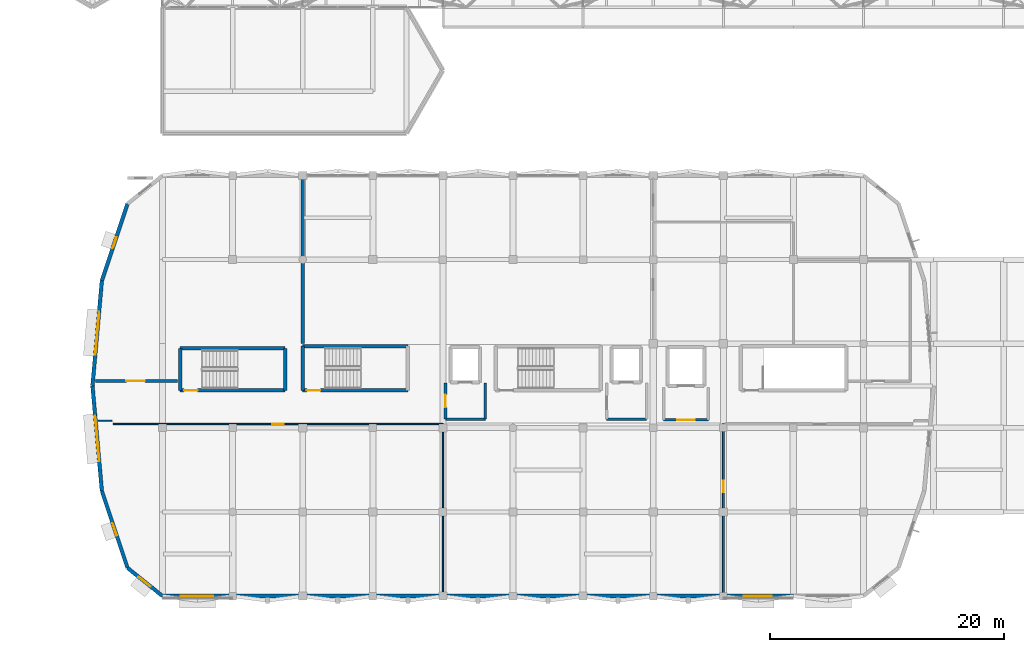
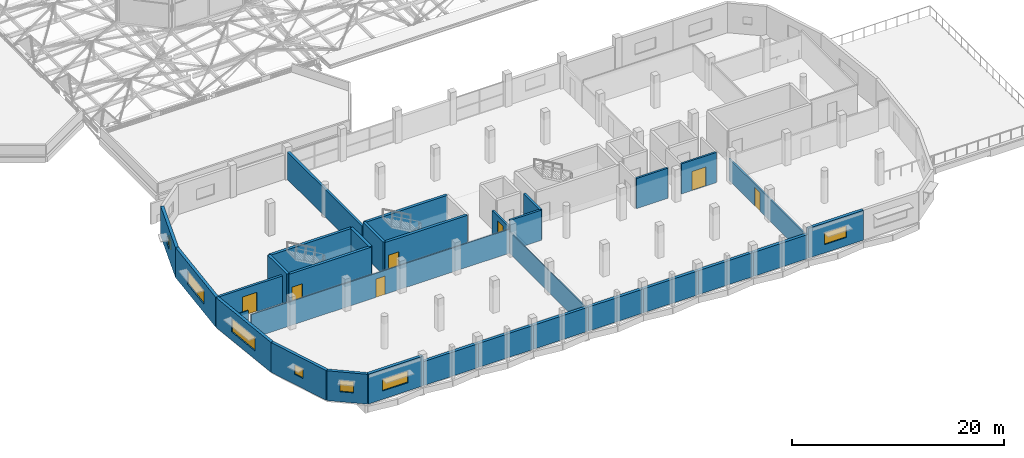
# One storey, part 226 of 239: 32 walls, 7 doors, 7 windows, 14 openings.
"""IFC4 building model written with IfcOpenShell, lengths in metres."""

import ifcopenshell
import ifcopenshell.guid

model = None  # the IFC model being written
_history = None  # IfcOwnerHistory: only IFC2X3 demands one
_inside = {}  # id of a spatial element -> (the spatial element, [elements in it])
_under = {}  # id of a project, library or spatial element -> (it, [spatial elements below it])
_declared = {}  # id of a project -> (the project, [libraries it declares])
_typed = {}  # id of a type object -> (the type object, [elements of that type])
_made_of = {}  # id of a material, layer set ... -> (it, [elements and type objects made of it])


def new_model(schema):
    """Start an empty IFC model of exactly this schema.

    Asked for "IFC4X3", IfcOpenShell would pick the latest addendum, in which some entities
    have other attributes; the version numbers below select the first issue.
    IFC2X3 requires an IfcOwnerHistory on every rooted entity: one is made here for all.
    """
    global model, _history
    if schema == "IFC4X3":
        model = ifcopenshell.file(schema_version=(4, 3, 0, 0))
    else:
        model = ifcopenshell.file(schema=schema)
    _inside.clear()
    _under.clear()
    _declared.clear()
    _typed.clear()
    _made_of.clear()
    _history = None
    if model.schema == "IFC2X3":
        org = make("IfcOrganization", Name="unknown")
        user = make(
            "IfcPersonAndOrganization",
            ThePerson=make("IfcPerson", FamilyName="unknown"),
            TheOrganization=org,
        )
        app = make(
            "IfcApplication",
            ApplicationDeveloper=org,
            Version="unknown",
            ApplicationFullName="unknown",
            ApplicationIdentifier="unknown",
        )
        _history = make(
            "IfcOwnerHistory",
            OwningUser=user,
            OwningApplication=app,
            ChangeAction="ADDED",
            CreationDate=0,
        )
    return model


def make(cls, **values):
    """One entity of the class cls with the attributes given. An attribute that is None is left unset."""
    return model.create_entity(
        cls, **{name: value for name, value in values.items() if value is not None}
    )


def rooted(cls, **values):
    """An entity with a GlobalId (a new one), such as an element, a storey or a relation."""
    return make(cls, GlobalId=ifcopenshell.guid.new(), OwnerHistory=_history, **values)


def si_unit(unit_type, name, prefix=None):
    """IfcSIUnit, for example si_unit("LENGTHUNIT", "METRE", prefix="MILLI")."""
    return make("IfcSIUnit", UnitType=unit_type, Prefix=prefix, Name=name)


def assignment(units):
    """IfcUnitAssignment: the units of a project."""
    return None if units is None else make("IfcUnitAssignment", Units=units)


def point(xyz):
    """IfcCartesianPoint."""
    return None if xyz is None else make("IfcCartesianPoint", Coordinates=xyz)


def direction(xyz):
    """IfcDirection."""
    return None if xyz is None else make("IfcDirection", DirectionRatios=xyz)


def frame(location, z_axis=None, x_axis=None):
    """IfcAxis2Placement3D, a coordinate frame: its origin and axes. An axis left out is left unset."""
    return make(
        "IfcAxis2Placement3D",
        Location=point(location),
        Axis=direction(z_axis),
        RefDirection=direction(x_axis),
    )


def frame_2d(location, x_axis=None):
    """IfcAxis2Placement2D, a coordinate frame in the plane: its origin and x axis."""
    return make(
        "IfcAxis2Placement2D", Location=point(location), RefDirection=direction(x_axis)
    )


def origin():
    """The frame at (0, 0, 0) with its axes left unset."""
    return frame((0.0, 0.0, 0.0))


def place(relative_to, where):
    """IfcLocalPlacement: puts the frame where relative to a parent placement (None: the world)."""
    return make(
        "IfcLocalPlacement", PlacementRelTo=relative_to, RelativePlacement=where
    )


def context(
    kind, dimensions, precision=None, world=None, true_north=None, identifier=None
):
    """IfcGeometricRepresentationContext, for example the 3D "Model" context."""
    return make(
        "IfcGeometricRepresentationContext",
        ContextIdentifier=identifier,
        ContextType=kind,
        CoordinateSpaceDimension=dimensions,
        Precision=precision,
        WorldCoordinateSystem=world,
        TrueNorth=true_north,
    )


def subcontext(parent, identifier, kind, view, scale=None):
    """IfcGeometricRepresentationSubContext, for example "Body" below "Model"."""
    return make(
        "IfcGeometricRepresentationSubContext",
        ContextIdentifier=identifier,
        ContextType=kind,
        ParentContext=parent,
        TargetScale=scale,
        TargetView=view,
    )


def project(units=None, contexts=None):
    """IfcProject with its units and contexts."""
    return rooted(
        "IfcProject",
        Name="project",
        RepresentationContexts=contexts,
        UnitsInContext=assignment(units),
    )


def spatial(cls, under=None, at=None, **own):
    """A site, building, storey or space (cls), placed at a placement, below another one or the project."""
    s = rooted(cls, ObjectPlacement=at, **own)
    if under is not None:
        _under.setdefault(under.id(), (under, []))[1].append(s)
    return s


def profile(cls, at=None, kind="AREA", **sizes):
    """A parametric profile (cls). Its sizes go by their IFC names, for example OverallWidth=200.0."""
    return make(cls, ProfileType=kind, Position=at, **sizes)


def rectangle(**sizes):
    """IfcRectangleProfileDef."""
    return profile("IfcRectangleProfileDef", **sizes)


def extrude(swept, where, along, depth):
    """IfcExtrudedAreaSolid: the profile swept, set in the frame where, extruded along a direction by depth."""
    return make(
        "IfcExtrudedAreaSolid",
        SweptArea=swept,
        Position=where,
        ExtrudedDirection=direction(along),
        Depth=depth,
    )


def shape(context_of_items, identifier, shape_type, items):
    """IfcShapeRepresentation: the items that make up one representation, for example the "Body"."""
    return make(
        "IfcShapeRepresentation",
        ContextOfItems=context_of_items,
        RepresentationIdentifier=identifier,
        RepresentationType=shape_type,
        Items=items,
    )


def material(Name=None, Category=None):
    """IfcMaterial."""
    return make("IfcMaterial", Name=Name, Category=Category)


def layer(
    of_material, thickness, ventilated=None, Name=None, Category=None, Priority=None
):
    """IfcMaterialLayer: one layer of a wall or slab, of a material (None: an air gap)."""
    return make(
        "IfcMaterialLayer",
        Material=of_material,
        LayerThickness=thickness,
        IsVentilated=ventilated,
        Name=Name,
        Category=Category,
        Priority=Priority,
    )


def layer_set(layers, Name=None):
    """IfcMaterialLayerSet."""
    return make("IfcMaterialLayerSet", MaterialLayers=layers, LayerSetName=Name)


def made_of(thing, what):
    """Note that an element or type object is made of a material, layer set ...; save() writes the relation."""
    if what is not None:
        _made_of.setdefault(what.id(), (what, []))[1].append(thing)
    return thing


def type_object(cls, material=None, **own):
    """A type object (cls), such as IfcWallType, which elements share."""
    return made_of(rooted(cls, **own), material)


def element(
    cls,
    number,
    at=None,
    inside=None,
    cuts=None,
    type_object=None,
    material=None,
    context=None,
    identifier="Body",
    shape_type=None,
    held_by="IfcProductDefinitionShape",
    body=None,
    shapes=None,
    **own,
):
    """One element of the class cls, such as IfcWall. Its Tag is "e" and its number.

    at: its placement. inside: the storey or other place that contains it. cuts: it is an
    opening in that element (IfcRelVoidsElement). A single representation is given by context,
    identifier, shape_type and body (its items); several are given by shapes. held_by: the class
    of the entity that holds the representations. save() writes the other relations.
    """
    e = rooted(cls, Tag="e%d" % number, ObjectPlacement=at, **own)
    if body is not None:
        shapes = [shape(context, identifier, shape_type, body)]
    if shapes is not None:
        e.Representation = make(held_by, Representations=shapes)
    if inside is not None:
        _inside.setdefault(inside.id(), (inside, []))[1].append(e)
    if cuts is not None:
        rooted(
            "IfcRelVoidsElement", RelatingBuildingElement=cuts, RelatedOpeningElement=e
        )
    if type_object is not None:
        _typed.setdefault(type_object.id(), (type_object, []))[1].append(e)
    return made_of(e, material)


def fill(opening, filler):
    """IfcRelFillsElement: the door or window that sits in an opening."""
    return rooted(
        "IfcRelFillsElement",
        RelatingOpeningElement=opening,
        RelatedBuildingElement=filler,
    )


def aggregate(whole, parts):
    """IfcRelAggregates: a whole, such as a stair, and the parts it consists of."""
    return rooted("IfcRelAggregates", RelatingObject=whole, RelatedObjects=parts)


def save(model, path):
    """Write the relations noted so far, then the file.

    IfcRelAggregates (storeys below a building ...), IfcRelContainedInSpatialStructure (elements
    in a storey), IfcRelDefinesByType, IfcRelAssociatesMaterial and IfcRelDeclares: one each for
    every whole, place, type object, material and project.
    """
    for whole, parts in _under.values():
        aggregate(whole, parts)
    for where, things in _inside.values():
        rooted(
            "IfcRelContainedInSpatialStructure",
            RelatedElements=things,
            RelatingStructure=where,
        )
    for kind, things in _typed.values():
        rooted("IfcRelDefinesByType", RelatedObjects=things, RelatingType=kind)
    for what, things in _made_of.values():
        rooted("IfcRelAssociatesMaterial", RelatedObjects=things, RelatingMaterial=what)
    for by, libraries in _declared.values():
        rooted("IfcRelDeclares", RelatingContext=by, RelatedDefinitions=libraries)
    model.write(path)


model = new_model("IFC4")

# Units and contexts
model_context = context("Model", 3, precision=1e-05, world=origin(), true_north=direction((0.0, 1.0)))
body_context = subcontext(model_context, "Body", "Model", "MODEL_VIEW")
ifc_project = project(units=[si_unit("LENGTHUNIT", "METRE"), si_unit("AREAUNIT", "SQUARE_METRE"), si_unit("VOLUMEUNIT", "CUBIC_METRE"), si_unit("PLANEANGLEUNIT", "RADIAN"), si_unit("MASSUNIT", "GRAM", prefix="KILO")], contexts=[model_context])

# Site, building, storey
site_placement = place(None, origin())
site = spatial("IfcSite", under=ifc_project, at=site_placement, CompositionType="ELEMENT")
building_placement = place(site_placement, origin())
building = spatial("IfcBuilding", under=site, at=building_placement, Name="Dunvalen Ferry Terminal", CompositionType="ELEMENT")
storey_placement = place(building_placement, frame((0.0, 0.0, 9.840087890625)))
storey = spatial("IfcBuildingStorey", under=building, at=storey_placement, Name="L02", CompositionType="ELEMENT", Elevation=9.840087890625)

# Wall, opening, window
ifc_material_1 = material(Name="Precast concrete C40/50", Category="concrete")
ifc_layer_1 = layer(ifc_material_1, 0.320068359375, Name="Precast concrete C40/50")
ifc_layer_set_1 = layer_set([ifc_layer_1], Name="Precast concrete C40/50")
wall_type_1 = type_object("IfcWallType", Name="ENV-WL-SPN320", PredefinedType="SOLIDWALL", material=ifc_layer_set_1)
wall_1_placement = place(storey_placement, frame((12.0, 0.0, 0.0), z_axis=(0.0, 0.0, 1.0), x_axis=(1.0, 0.0, 0.0)))
wall_1 = element("IfcWall", 1, at=wall_1_placement, inside=storey, type_object=wall_type_1, Name="L02 Streamline Moderne Facade Wall 01.01", PredefinedType="SOLIDWALL", context=body_context, shape_type="SweptSolid", body=[
    extrude(rectangle(XDim=6.0, YDim=0.320068359375, at=frame_2d((3.0, 0.0))), origin(), (0.0, 0.0, 1.0), 3.43994140625),
])
opening_1_placement = place(wall_1_placement, frame((1.548828125, 0.0, 0.949951171875)))
opening_1 = element("IfcOpeningElement", 2, at=opening_1_placement, cuts=wall_1, Name="Opening W-09", PredefinedType="OPENING", context=body_context, shape_type="SweptSolid", body=[
    extrude(rectangle(XDim=2.800048828125, YDim=1.35009765625, at=frame_2d((1.39990234375, 0.675048828125))), frame((0.0, 0.169921875, 0.0), z_axis=(0.0, -1.0, 0.0), x_axis=(1.0, 0.0, 0.0)), (0.0, 0.0, 1.0), 0.340087890625),
])
ifc_material_2 = material(Name="Thermally broken aluminium and double glazing", Category="aluminium")
window_type_1 = type_object("IfcWindowType", Name="ENV-WIN-RIB-09", PartitioningType="SINGLE_PANEL", PredefinedType="WINDOW", material=ifc_material_2)
window_1_placement = place(opening_1_placement, origin())
window_1 = element("IfcWindow", 3, at=window_1_placement, inside=storey, type_object=window_type_1, Name="L02 Streamline Ribbon Window 01.01", OverallHeight=1.35009765625, OverallWidth=2.800048828125, PartitioningType="SINGLE_PANEL", PredefinedType="WINDOW", context=body_context, shape_type="SweptSolid", body=[
    extrude(rectangle(XDim=2.800048828125, YDim=1.35009765625, at=frame_2d((1.39990234375, 0.675048828125))), frame((0.0, 0.030029296875, 0.0), z_axis=(0.0, -1.0, 0.0), x_axis=(1.0, 0.0, 0.0)), (0.0, 0.0, 1.0), 0.06005859375),
])
fill(opening_1, window_1)

# Walls
for number, where, z_axis, x_axis, name in (
    (4, (18.0, 0.0, 0.0), (0.0, 0.0, 1.0), (1.0, 0.0, 0.0), "L02 Streamline Moderne Facade Wall 01.02"),
    (5, (24.0, 0.0, 0.0), (0.0, 0.0, 1.0), (1.0, 0.0, 0.0), "L02 Streamline Moderne Facade Wall 01.03"),
    (6, (30.0, 0.0, 0.0), (0.0, 0.0, 1.0), (1.0, 0.0, 0.0), "L02 Streamline Moderne Facade Wall 01.04"),
    (7, (36.0, 0.0, 0.0), (0.0, 0.0, 1.0), (1.0, 0.0, 0.0), "L02 Streamline Moderne Facade Wall 01.05"),
    (8, (42.0, 0.0, 0.0), (0.0, 0.0, 1.0), (1.0, 0.0, 0.0), "L02 Streamline Moderne Facade Wall 01.06"),
    (9, (48.0, 0.0, 0.0), (0.0, 0.0, 1.0), (1.0, 0.0, 0.0), "L02 Streamline Moderne Facade Wall 01.07"),
    (10, (54.0, 0.0, 0.0), (0.0, 0.0, 1.0), (1.0, 0.0, 0.0), "L02 Streamline Moderne Facade Wall 01.08"),
):
    element("IfcWall", number, at=place(storey_placement, frame(where, z_axis=z_axis, x_axis=x_axis)), inside=storey, type_object=wall_type_1, Name=name, PredefinedType="SOLIDWALL", context=body_context, shape_type="SweptSolid", body=[
        extrude(rectangle(XDim=6.0, YDim=0.320068359375, at=frame_2d((3.0, 0.0))), origin(), (0.0, 0.0, 1.0), 2.77001953125),
    ])

# Wall, opening, window
wall_2_placement = place(storey_placement, frame((60.0, 0.0, 0.0), z_axis=(0.0, 0.0, 1.0), x_axis=(1.0, 0.0, 0.0)))
wall_2 = element("IfcWall", 11, at=wall_2_placement, inside=storey, type_object=wall_type_1, Name="L02 Streamline Moderne Facade Wall 01.09", PredefinedType="SOLIDWALL", context=body_context, shape_type="SweptSolid", body=[
    extrude(rectangle(XDim=6.0, YDim=0.320068359375, at=frame_2d((3.0, 0.0))), origin(), (0.0, 0.0, 1.0), 3.43994140625),
])
opening_2_placement = place(wall_2_placement, frame((1.7490234375, 0.0, 0.949951171875)))
opening_2 = element("IfcOpeningElement", 12, at=opening_2_placement, cuts=wall_2, Name="Opening W-10", PredefinedType="OPENING", context=body_context, shape_type="SweptSolid", body=[
    extrude(rectangle(XDim=2.39990234375, YDim=1.35009765625, at=frame_2d((1.199951171875, 0.675048828125))), frame((0.0, 0.169921875, 0.0), z_axis=(0.0, -1.0, 0.0), x_axis=(1.0, 0.0, 0.0)), (0.0, 0.0, 1.0), 0.340087890625),
])
window_type_2 = type_object("IfcWindowType", Name="ENV-WIN-RIB-10", PartitioningType="SINGLE_PANEL", PredefinedType="WINDOW", material=ifc_material_2)
window_2_placement = place(opening_2_placement, origin())
window_2 = element("IfcWindow", 13, at=window_2_placement, inside=storey, type_object=window_type_2, Name="L02 Streamline Ribbon Window 01.09", OverallHeight=1.35009765625, OverallWidth=2.39990234375, PartitioningType="SINGLE_PANEL", PredefinedType="WINDOW", context=body_context, shape_type="SweptSolid", body=[
    extrude(rectangle(XDim=2.39990234375, YDim=1.35009765625, at=frame_2d((1.199951171875, 0.675048828125))), frame((0.0, 0.030029296875, 0.0), z_axis=(0.0, -1.0, 0.0), x_axis=(1.0, 0.0, 0.0)), (0.0, 0.0, 1.0), 0.06005859375),
])
fill(opening_2, window_2)

wall_3_placement = place(storey_placement, frame((9.0, 33.58837890625, 0.0), z_axis=(0.0, 0.0, 1.0), x_axis=(-0.31624885857, -0.948676266939, 0.0)))
wall_3 = element("IfcWall", 14, at=wall_3_placement, inside=storey, type_object=wall_type_1, Name="L02 Streamline Moderne Facade Wall 10.01", PredefinedType="SOLIDWALL", context=body_context, shape_type="SweptSolid", body=[
    extrude(rectangle(XDim=6.94482421875, YDim=0.320068359375, at=frame_2d((3.472412109375, 0.0))), origin(), (0.0, 0.0, 1.0), 3.43994140625),
])
opening_3_placement = place(wall_3_placement, frame((3.0224609375, 0.0, 1.14990234375)))
opening_3 = element("IfcOpeningElement", 15, at=opening_3_placement, cuts=wall_3, Name="Opening W-18", PredefinedType="OPENING", context=body_context, shape_type="SweptSolid", body=[
    extrude(rectangle(XDim=1.0, YDim=1.0, at=frame_2d((0.5, 0.5))), frame((0.0, 0.169921875, 0.0), z_axis=(0.0, -1.0, 0.0), x_axis=(1.0, 0.0, 0.0)), (0.0, 0.0, 1.0), 0.340087890625),
])
window_type_3 = type_object("IfcWindowType", Name="ENV-WIN-PRT-18", PartitioningType="SINGLE_PANEL", PredefinedType="WINDOW", material=ifc_material_2)
window_3_placement = place(opening_3_placement, origin())
window_3 = element("IfcWindow", 16, at=window_3_placement, inside=storey, type_object=window_type_3, Name="L02 Streamline Ribbon Window 10.01", OverallHeight=1.0, OverallWidth=1.0, PartitioningType="SINGLE_PANEL", PredefinedType="WINDOW", context=body_context, shape_type="SweptSolid", body=[
    extrude(rectangle(XDim=1.0, YDim=1.0, at=frame_2d((0.5, 0.5))), frame((0.0, 0.030029296875, 0.0), z_axis=(0.0, -1.0, 0.0), x_axis=(1.0, 0.0, 0.0)), (0.0, 0.0, 1.0), 0.06005859375),
])
fill(opening_3, window_3)

wall_4_placement = place(storey_placement, frame((6.8037109375, 27.0, 0.0), z_axis=(0.0, 0.0, 1.0), x_axis=(-0.088947255406, -0.996036337568, 0.0)))
wall_4 = element("IfcWall", 17, at=wall_4_placement, inside=storey, type_object=wall_type_1, Name="L02 Streamline Moderne Facade Wall 11.01", PredefinedType="SOLIDWALL", context=body_context, shape_type="SweptSolid", body=[
    extrude(rectangle(XDim=9.035888671875, YDim=0.320068359375, at=frame_2d((4.51806640625, 0.0))), origin(), (0.0, 0.0, 1.0), 3.43994140625),
])
opening_4_placement = place(wall_4_placement, frame((2.66796875, 0.0, 0.949951171875)))
opening_4 = element("IfcOpeningElement", 18, at=opening_4_placement, cuts=wall_4, Name="Opening W-35", PredefinedType="OPENING", context=body_context, shape_type="SweptSolid", body=[
    extrude(rectangle(XDim=3.699951171875, YDim=1.550048828125, at=frame_2d((1.85009765625, 0.77490234375))), frame((0.0, 0.169921875, 0.0), z_axis=(0.0, -1.0, 0.0), x_axis=(1.0, 0.0, 0.0)), (0.0, 0.0, 1.0), 0.340087890625),
])
window_type_4 = type_object("IfcWindowType", Name="ENV-WIN-RIB-35", PartitioningType="SINGLE_PANEL", PredefinedType="WINDOW", material=ifc_material_2)
window_4_placement = place(opening_4_placement, origin())
window_4 = element("IfcWindow", 19, at=window_4_placement, inside=storey, type_object=window_type_4, Name="L02 Streamline Ribbon Window 11.01", OverallHeight=1.550048828125, OverallWidth=3.699951171875, PartitioningType="SINGLE_PANEL", PredefinedType="WINDOW", context=body_context, shape_type="SweptSolid", body=[
    extrude(rectangle(XDim=3.699951171875, YDim=1.550048828125, at=frame_2d((1.85009765625, 0.77490234375))), frame((0.0, 0.030029296875, 0.0), z_axis=(0.0, -1.0, 0.0), x_axis=(1.0, 0.0, 0.0)), (0.0, 0.0, 1.0), 0.06005859375),
])
fill(opening_4, window_4)

wall_5_placement = place(storey_placement, frame((6.0, 18.0, 0.0), z_axis=(0.0, 0.0, 1.0), x_axis=(0.088947255406, -0.996036337568, 0.0)))
wall_5 = element("IfcWall", 20, at=wall_5_placement, inside=storey, type_object=wall_type_1, Name="L02 Streamline Moderne Facade Wall 12.01", PredefinedType="SOLIDWALL", context=body_context, shape_type="SweptSolid", body=[
    extrude(rectangle(XDim=9.035888671875, YDim=0.320068359375, at=frame_2d((4.51806640625, 0.0))), origin(), (0.0, 0.0, 1.0), 3.43994140625),
])
opening_5_placement = place(wall_5_placement, frame((2.56787109375, 0.0, 0.949951171875)))
opening_5 = element("IfcOpeningElement", 21, at=opening_5_placement, cuts=wall_5, Name="Opening W-36", PredefinedType="OPENING", context=body_context, shape_type="SweptSolid", body=[
    extrude(rectangle(XDim=3.89990234375, YDim=1.550048828125, at=frame_2d((1.949951171875, 0.77490234375))), frame((0.0, 0.169921875, 0.0), z_axis=(0.0, -1.0, 0.0), x_axis=(1.0, 0.0, 0.0)), (0.0, 0.0, 1.0), 0.340087890625),
])
window_type_5 = type_object("IfcWindowType", Name="ENV-WIN-RIB-36", PartitioningType="SINGLE_PANEL", PredefinedType="WINDOW", material=ifc_material_2)
window_5_placement = place(opening_5_placement, origin())
window_5 = element("IfcWindow", 22, at=window_5_placement, inside=storey, type_object=window_type_5, Name="L02 Streamline Ribbon Window 12.01", OverallHeight=1.550048828125, OverallWidth=3.89990234375, PartitioningType="SINGLE_PANEL", PredefinedType="WINDOW", context=body_context, shape_type="SweptSolid", body=[
    extrude(rectangle(XDim=3.89990234375, YDim=1.550048828125, at=frame_2d((1.949951171875, 0.77490234375))), frame((0.0, 0.030029296875, 0.0), z_axis=(0.0, -1.0, 0.0), x_axis=(1.0, 0.0, 0.0)), (0.0, 0.0, 1.0), 0.06005859375),
])
fill(opening_5, window_5)

wall_6_placement = place(storey_placement, frame((6.8037109375, 9.0, 0.0), z_axis=(0.0, 0.0, 1.0), x_axis=(0.31624885857, -0.948676266939, 0.0)))
wall_6 = element("IfcWall", 23, at=wall_6_placement, inside=storey, type_object=wall_type_1, Name="L02 Streamline Moderne Facade Wall 13.01", PredefinedType="SOLIDWALL", context=body_context, shape_type="SweptSolid", body=[
    extrude(rectangle(XDim=6.94482421875, YDim=0.320068359375, at=frame_2d((3.472412109375, 0.0))), origin(), (0.0, 0.0, 1.0), 3.43994140625),
])
opening_6_placement = place(wall_6_placement, frame((2.92236328125, 0.0, 1.14990234375)))
opening_6 = element("IfcOpeningElement", 24, at=opening_6_placement, cuts=wall_6, Name="Opening W-41", PredefinedType="OPENING", context=body_context, shape_type="SweptSolid", body=[
    extrude(rectangle(XDim=1.10009765625, YDim=1.10009765625, at=frame_2d((0.550048828125, 0.550048828125))), frame((0.0, 0.169921875, 0.0), z_axis=(0.0, -1.0, 0.0), x_axis=(1.0, 0.0, 0.0)), (0.0, 0.0, 1.0), 0.340087890625),
])
window_type_6 = type_object("IfcWindowType", Name="ENV-WIN-PRT-41", PartitioningType="SINGLE_PANEL", PredefinedType="WINDOW", material=ifc_material_2)
window_6_placement = place(opening_6_placement, origin())
window_6 = element("IfcWindow", 25, at=window_6_placement, inside=storey, type_object=window_type_6, Name="L02 Streamline Ribbon Window 13.01", OverallHeight=1.10009765625, OverallWidth=1.10009765625, PartitioningType="SINGLE_PANEL", PredefinedType="WINDOW", context=body_context, shape_type="SweptSolid", body=[
    extrude(rectangle(XDim=1.10009765625, YDim=1.10009765625, at=frame_2d((0.550048828125, 0.550048828125))), frame((0.0, 0.030029296875, 0.0), z_axis=(0.0, -1.0, 0.0), x_axis=(1.0, 0.0, 0.0)), (0.0, 0.0, 1.0), 0.06005859375),
])
fill(opening_6, window_6)

wall_7_placement = place(storey_placement, frame((9.0, 2.41162109375, 0.0), z_axis=(0.0, 0.0, 1.0), x_axis=(0.779393889884, -0.626534248395, 0.0)))
wall_7 = element("IfcWall", 26, at=wall_7_placement, inside=storey, type_object=wall_type_1, Name="L02 Streamline Moderne Facade Wall 14.01", PredefinedType="SOLIDWALL", context=body_context, shape_type="SweptSolid", body=[
    extrude(rectangle(XDim=3.84912109375, YDim=0.320068359375, at=frame_2d((1.924560546875, 0.0))), origin(), (0.0, 0.0, 1.0), 3.43994140625),
])
opening_7_placement = place(wall_7_placement, frame((1.224365234375, 0.0, 1.14990234375)))
opening_7 = element("IfcOpeningElement", 27, at=opening_7_placement, cuts=wall_7, Name="Opening W-42", PredefinedType="OPENING", context=body_context, shape_type="SweptSolid", body=[
    extrude(rectangle(XDim=1.300048828125, YDim=1.300048828125, at=frame_2d((0.64990234375, 0.64990234375))), frame((0.0, 0.169921875, 0.0), z_axis=(0.0, -1.0, 0.0), x_axis=(1.0, 0.0, 0.0)), (0.0, 0.0, 1.0), 0.340087890625),
])
window_type_7 = type_object("IfcWindowType", Name="ENV-WIN-PRT-42", PartitioningType="SINGLE_PANEL", PredefinedType="WINDOW", material=ifc_material_2)
window_7_placement = place(opening_7_placement, origin())
window_7 = element("IfcWindow", 28, at=window_7_placement, inside=storey, type_object=window_type_7, Name="L02 Streamline Ribbon Window 14.01", OverallHeight=1.300048828125, OverallWidth=1.300048828125, PartitioningType="SINGLE_PANEL", PredefinedType="WINDOW", context=body_context, shape_type="SweptSolid", body=[
    extrude(rectangle(XDim=1.300048828125, YDim=1.300048828125, at=frame_2d((0.64990234375, 0.64990234375))), frame((0.0, 0.030029296875, 0.0), z_axis=(0.0, -1.0, 0.0), x_axis=(1.0, 0.0, 0.0)), (0.0, 0.0, 1.0), 0.06005859375),
])
fill(opening_7, window_7)

# Wall, opening, door
ifc_material_3 = material(Name="Autoclaved aerated concrete blockwork", Category="masonry")
ifc_layer_2 = layer(ifc_material_3, 0.199951171875, Name="Autoclaved aerated concrete blockwork")
ifc_layer_set_2 = layer_set([ifc_layer_2], Name="Autoclaved aerated concrete blockwork")
wall_type_2 = type_object("IfcWallType", Name="INT-WL-CMP200", PredefinedType="PARTITIONING", material=ifc_layer_set_2)
wall_8_placement = place(storey_placement, frame((54.889892578125, 15.090087890625, 0.0), z_axis=(0.0, 0.0, 1.0), x_axis=(1.0, 0.0, 0.0)))
wall_8 = element("IfcWall", 29, at=wall_8_placement, inside=storey, type_object=wall_type_2, Name="L02 L02 Lift Lobby LG-01 Partition 2", PredefinedType="PARTITIONING", context=body_context, shape_type="SweptSolid", body=[
    extrude(rectangle(XDim=3.820068359375, YDim=0.199951171875, at=frame_2d((1.91015625, 0.0))), origin(), (0.0, 0.0, 1.0), 3.47998046875),
])
opening_8_placement = place(wall_8_placement, frame((1.159912109375, 0.0, 0.0)))
opening_8 = element("IfcOpeningElement", 30, at=opening_8_placement, cuts=wall_8, Name="Opening ID-04", PredefinedType="OPENING", context=body_context, shape_type="SweptSolid", body=[
    extrude(rectangle(XDim=1.5, YDim=2.199951171875, at=frame_2d((0.75, 1.10009765625))), frame((0.0, 0.10986328125, 0.0), z_axis=(0.0, -1.0, 0.0), x_axis=(1.0, 0.0, 0.0)), (0.0, 0.0, 1.0), 0.219970703125),
])
ifc_material_4 = material(Name="Anodised aluminium glazed fire door", Category="aluminium")
door_type_1 = type_object("IfcDoorType", Name="INT-DR-LOB-1500", OperationType="DOUBLE_SWING_LEFT", PredefinedType="DOOR", material=ifc_material_4)
door_1_placement = place(opening_8_placement, origin())
door_1 = element("IfcDoor", 31, at=door_1_placement, inside=storey, type_object=door_type_1, Name="L02 Lift Lobby LG-01 Door", OperationType="DOUBLE_SWING_LEFT", OverallHeight=2.199951171875, OverallWidth=1.5, PredefinedType="DOOR", context=body_context, shape_type="SweptSolid", body=[
    extrude(rectangle(XDim=1.5, YDim=2.199951171875, at=frame_2d((0.75, 1.10009765625))), frame((0.0, 0.02490234375, 0.0), z_axis=(0.0, -1.0, 0.0), x_axis=(1.0, 0.0, 0.0)), (0.0, 0.0, 1.0), 0.050048828125),
])
fill(opening_8, door_1)

ifc_material_5 = material(Name="Concrete C35/45", Category="concrete")
ifc_layer_3 = layer(ifc_material_5, 0.219970703125, Name="Concrete C35/45")
ifc_layer_set_3 = layer_set([ifc_layer_3], Name="Concrete C35/45")
wall_type_3 = type_object("IfcWallType", Name="INT-WL-CMP220", PredefinedType="SOLIDWALL", material=ifc_layer_set_3)
wall_9_placement = place(storey_placement, frame((36.219970703125, 18.25, 0.0), z_axis=(0.0, 0.0, 1.0), x_axis=(0.0, -1.0, 0.0)))
wall_9 = element("IfcWall", 32, at=wall_9_placement, inside=storey, type_object=wall_type_3, Name="L02 L02 Firefighting Lift Lobby LF-01 Partition 1", PredefinedType="SOLIDWALL", context=body_context, shape_type="SweptSolid", body=[
    extrude(rectangle(XDim=3.110107421875, YDim=0.219970703125, at=frame_2d((1.55517578125, 0.0))), origin(), (0.0, 0.0, 1.0), 2.719970703125),
])
opening_9_placement = place(wall_9_placement, frame((1.0048828125, 0.0, 0.0)))
opening_9 = element("IfcOpeningElement", 33, at=opening_9_placement, cuts=wall_9, Name="Opening ID-03", PredefinedType="OPENING", context=body_context, shape_type="SweptSolid", body=[
    extrude(rectangle(XDim=1.10009765625, YDim=2.14990234375, at=frame_2d((0.550048828125, 1.074951171875))), frame((0.0, 0.1201171875, 0.0), z_axis=(0.0, -1.0, 0.0), x_axis=(1.0, 0.0, 0.0)), (0.0, 0.0, 1.0), 0.239990234375),
])
ifc_material_6 = material(Name="Powder-coated steel fire door", Category="steel")
door_type_2 = type_object("IfcDoorType", Name="INT-DR-FFL-1100", OperationType="NOTDEFINED", PredefinedType="DOOR", material=ifc_material_6)
door_2_placement = place(opening_9_placement, origin())
door_2 = element("IfcDoor", 34, at=door_2_placement, inside=storey, type_object=door_type_2, Name="L02 Firefighting Lift Lobby LF-01 Door", OperationType="SINGLE_SWING_LEFT", OverallHeight=2.14990234375, OverallWidth=1.10009765625, PredefinedType="DOOR", context=body_context, shape_type="SweptSolid", body=[
    extrude(rectangle(XDim=1.10009765625, YDim=2.14990234375, at=frame_2d((0.550048828125, 1.074951171875))), frame((0.0, 0.02490234375, 0.0), z_axis=(0.0, -1.0, 0.0), x_axis=(1.0, 0.0, 0.0)), (0.0, 0.0, 1.0), 0.050048828125),
])
fill(opening_9, door_2)

# Walls
wall_10_placement = place(storey_placement, frame((36.219970703125, 15.139892578125, 0.0), z_axis=(0.0, 0.0, 1.0), x_axis=(1.0, 0.0, 0.0)))
element("IfcWall", 35, at=wall_10_placement, inside=storey, type_object=wall_type_3, Name="L02 L02 Firefighting Lift Lobby LF-01 Partition 2", PredefinedType="SOLIDWALL", context=body_context, shape_type="SweptSolid", body=[
    extrude(rectangle(XDim=3.419921875, YDim=0.219970703125, at=frame_2d((1.7099609375, 0.0))), origin(), (0.0, 0.0, 1.0), 3.47998046875),
])
wall_11_placement = place(storey_placement, frame((39.639892578125, 15.139892578125, 0.0), z_axis=(0.0, 0.0, 1.0), x_axis=(0.0, 1.0, 0.0)))
element("IfcWall", 36, at=wall_11_placement, inside=storey, type_object=wall_type_3, Name="L02 L02 Firefighting Lift Lobby LF-01 Partition 3", PredefinedType="SOLIDWALL", context=body_context, shape_type="SweptSolid", body=[
    extrude(rectangle(XDim=3.110107421875, YDim=0.219970703125, at=frame_2d((1.55517578125, 0.0))), origin(), (0.0, 0.0, 1.0), 3.47998046875),
])
wall_12_placement = place(storey_placement, frame((50.02001953125, 15.139892578125, 0.0), z_axis=(0.0, 0.0, 1.0), x_axis=(1.0, 0.0, 0.0)))
element("IfcWall", 37, at=wall_12_placement, inside=storey, type_object=wall_type_3, Name="L02 L02 Firefighting Lift Lobby LF-02 Partition 3", PredefinedType="SOLIDWALL", context=body_context, shape_type="SweptSolid", body=[
    extrude(rectangle(XDim=3.419921875, YDim=0.219970703125, at=frame_2d((1.7099609375, 0.0))), origin(), (0.0, 0.0, 1.0), 3.47998046875),
])
ifc_layer_4 = layer(ifc_material_5, 0.260009765625, Name="Concrete C35/45")
ifc_layer_set_4 = layer_set([ifc_layer_4], Name="Concrete C35/45")
wall_type_4 = type_object("IfcWallType", Name="INT-WL-CMP260", PredefinedType="SOLIDWALL", material=ifc_layer_set_4)
wall_13_placement = place(storey_placement, frame((24.0, 21.610107421875, 0.0), z_axis=(0.0, 0.0, 1.0), x_axis=(0.0, 1.0, 0.0)))
element("IfcWall", 38, at=wall_13_placement, inside=storey, type_object=wall_type_4, Name="L02 L02 Mid-Level Ventilation AHU Plant Room Partition 2", PredefinedType="SOLIDWALL", context=body_context, shape_type="SweptSolid", body=[
    extrude(rectangle(XDim=14.169921875, YDim=0.260009765625, at=frame_2d((7.0849609375, 0.0))), origin(), (0.0, 0.0, 1.0), 3.159912109375),
])

# Wall, opening, door
wall_14_placement = place(storey_placement, frame((6.256591796875, 18.39990234375, 0.0), z_axis=(0.0, 0.0, 1.0), x_axis=(1.0, 0.0, 0.0)))
wall_14 = element("IfcWall", 39, at=wall_14_placement, inside=storey, type_object=wall_type_4, Name="L02 L02 Mid-Level Ventilation AHU Plant Room Partition 7", PredefinedType="SOLIDWALL", context=body_context, shape_type="SweptSolid", body=[
    extrude(rectangle(XDim=7.033447265625, YDim=0.260009765625, at=frame_2d((3.5166015625, 0.0))), origin(), (0.0, 0.0, 1.0), 3.159912109375),
])
opening_10_placement = place(wall_14_placement, frame((2.639892578125, 0.0, 0.0)))
opening_10 = element("IfcOpeningElement", 40, at=opening_10_placement, cuts=wall_14, Name="Opening ID-05", PredefinedType="OPENING", context=body_context, shape_type="SweptSolid", body=[
    extrude(rectangle(XDim=1.60009765625, YDim=2.25, at=frame_2d((0.800048828125, 1.125))), frame((0.0, 0.14013671875, 0.0), z_axis=(0.0, -1.0, 0.0), x_axis=(1.0, 0.0, 0.0)), (0.0, 0.0, 1.0), 0.280029296875),
])
ifc_material_7 = material(Name="Galvanised acoustic steel fire door", Category="steel")
door_type_3 = type_object("IfcDoorType", Name="INT-DR-PLT-1600", OperationType="DOUBLE_SWING_LEFT", PredefinedType="DOOR", material=ifc_material_7)
door_3_placement = place(opening_10_placement, origin())
door_3 = element("IfcDoor", 41, at=door_3_placement, inside=storey, type_object=door_type_3, Name="L02 Mid-Level Ventilation AHU Plant Room Door", OperationType="DOUBLE_SWING_LEFT", OverallHeight=2.25, OverallWidth=1.60009765625, PredefinedType="DOOR", context=body_context, shape_type="SweptSolid", body=[
    extrude(rectangle(XDim=1.60009765625, YDim=2.25, at=frame_2d((0.800048828125, 1.125))), frame((0.0, 0.02490234375, 0.0), z_axis=(0.0, -1.0, 0.0), x_axis=(1.0, 0.0, 0.0)), (0.0, 0.0, 1.0), 0.050048828125),
])
fill(opening_10, door_3)

ifc_material_8 = material(Name="Framed acoustic glass partition", Category="glass")
ifc_layer_5 = layer(ifc_material_8, 0.10498046875, Name="Framed acoustic glass partition")
ifc_layer_set_5 = layer_set([ifc_layer_5], Name="Framed acoustic glass partition")
wall_type_5 = type_object("IfcWallType", Name="INT-WL-GLZ105", PredefinedType="PARTITIONING", material=ifc_layer_set_5)
wall_15_placement = place(storey_placement, frame((36.0, 14.739990234375, 0.0), z_axis=(0.0, 0.0, 1.0), x_axis=(-1.0, 0.0, 0.0)))
wall_15 = element("IfcWall", 42, at=wall_15_placement, inside=storey, type_object=wall_type_5, Name="L02 L02 Maritime Operations and Berth Dispatch Control Partition 1", PredefinedType="PARTITIONING", context=body_context, shape_type="SweptSolid", body=[
    extrude(rectangle(XDim=28.199951171875, YDim=0.10498046875, at=frame_2d((14.10009765625, 0.0))), origin(), (0.0, 0.0, 1.0), 2.77001953125),
])
opening_11_placement = place(wall_15_placement, frame((13.610107421875, 0.0, 0.0)))
opening_11 = element("IfcOpeningElement", 43, at=opening_11_placement, cuts=wall_15, Name="Opening ID-11", PredefinedType="OPENING", context=body_context, shape_type="SweptSolid", body=[
    extrude(rectangle(XDim=0.97998046875, YDim=2.1201171875, at=frame_2d((0.489990234375, 1.06005859375))), frame((0.0, 0.0625, 0.0), z_axis=(0.0, -1.0, 0.0), x_axis=(1.0, 0.0, 0.0)), (0.0, 0.0, 1.0), 0.125),
])
ifc_material_9 = material(Name="FSC European oak acoustic fire door", Category="wood")
door_type_4 = type_object("IfcDoorType", Name="INT-DR-OFF-0980", OperationType="NOTDEFINED", PredefinedType="DOOR", material=ifc_material_9)
door_4_placement = place(opening_11_placement, origin())
door_4 = element("IfcDoor", 44, at=door_4_placement, inside=storey, type_object=door_type_4, Name="L02 Maritime Operations and Berth Dispatch Control Door", OperationType="SINGLE_SWING_RIGHT", OverallHeight=2.1201171875, OverallWidth=0.97998046875, PredefinedType="DOOR", context=body_context, shape_type="SweptSolid", body=[
    extrude(rectangle(XDim=0.97998046875, YDim=2.1201171875, at=frame_2d((0.489990234375, 1.06005859375))), frame((0.0, 0.02490234375, 0.0), z_axis=(0.0, -1.0, 0.0), x_axis=(1.0, 0.0, 0.0)), (0.0, 0.0, 1.0), 0.050048828125),
])
fill(opening_11, door_4)

# Walls
wall_16_placement = place(storey_placement, frame((7.639892578125, 15.0, 0.0), z_axis=(0.0, 0.0, 1.0), x_axis=(-1.0, 0.0, 0.0)))
element("IfcWall", 45, at=wall_16_placement, inside=storey, type_object=wall_type_5, Name="L02 L02 Maritime Operations and Berth Dispatch Control Partition 4", PredefinedType="PARTITIONING", context=body_context, shape_type="SweptSolid", body=[
    extrude(rectangle(XDim=1.151123046875, YDim=0.10498046875, at=frame_2d((0.57568359375, 0.0))), origin(), (0.0, 0.0, 1.0), 3.159912109375),
])
wall_17_placement = place(storey_placement, frame((36.0, 0.219970703125, 0.0), z_axis=(0.0, 0.0, 1.0), x_axis=(0.0, 1.0, 0.0)))
element("IfcWall", 46, at=wall_17_placement, inside=storey, type_object=wall_type_5, Name="L02 L02 Maritime Operations and Berth Dispatch Control Partition 9", PredefinedType="PARTITIONING", context=body_context, shape_type="SweptSolid", body=[
    extrude(rectangle(XDim=14.52001953125, YDim=0.10498046875, at=frame_2d((7.260009765625, 0.0))), origin(), (0.0, 0.0, 1.0), 2.52001953125),
])

# Wall, opening, door
ifc_material_10 = material(Name="Metal-stud acoustic partition", Category="gypsum")
ifc_layer_6 = layer(ifc_material_10, 0.169921875, Name="Metal-stud acoustic partition")
ifc_layer_set_6 = layer_set([ifc_layer_6], Name="Metal-stud acoustic partition")
wall_type_6 = type_object("IfcWallType", Name="INT-WL-PRT170", PredefinedType="PARTITIONING", material=ifc_layer_set_6)
wall_18_placement = place(storey_placement, frame((60.0, 0.219970703125, 0.0), z_axis=(0.0, 0.0, 1.0), x_axis=(0.0, 1.0, 0.0)))
wall_18 = element("IfcWall", 47, at=wall_18_placement, inside=storey, type_object=wall_type_6, Name="L02 L02 Port Authority Hydrographic and Planning Suite Partition 1", PredefinedType="PARTITIONING", context=body_context, shape_type="SweptSolid", body=[
    extrude(rectangle(XDim=14.52001953125, YDim=0.169921875, at=frame_2d((7.260009765625, 0.0))), origin(), (0.0, 0.0, 1.0), 2.52001953125),
])
opening_12_placement = place(wall_18_placement, frame((8.648193359375, 0.0, 0.0)))
opening_12 = element("IfcOpeningElement", 48, at=opening_12_placement, cuts=wall_18, Name="Opening ID-10", PredefinedType="OPENING", context=body_context, shape_type="SweptSolid", body=[
    extrude(rectangle(XDim=1.0, YDim=2.1201171875, at=frame_2d((0.5, 1.06005859375))), frame((0.0, 0.094970703125, 0.0), z_axis=(0.0, -1.0, 0.0), x_axis=(1.0, 0.0, 0.0)), (0.0, 0.0, 1.0), 0.18994140625),
])
door_type_5 = type_object("IfcDoorType", Name="INT-DR-OFF-1000", OperationType="NOTDEFINED", PredefinedType="DOOR", material=ifc_material_9)
door_5_placement = place(opening_12_placement, origin())
door_5 = element("IfcDoor", 49, at=door_5_placement, inside=storey, type_object=door_type_5, Name="L02 Port Authority Hydrographic and Planning Suite Door", OperationType="SINGLE_SWING_LEFT", OverallHeight=2.1201171875, OverallWidth=1.0, PredefinedType="DOOR", context=body_context, shape_type="SweptSolid", body=[
    extrude(rectangle(XDim=1.0, YDim=2.1201171875, at=frame_2d((0.5, 1.06005859375))), frame((0.0, 0.02490234375, 0.0), z_axis=(0.0, -1.0, 0.0), x_axis=(1.0, 0.0, 0.0)), (0.0, 0.0, 1.0), 0.050048828125),
])
fill(opening_12, door_5)

# Walls
ifc_material_11 = material(Name="Concrete C40/50", Category="concrete")
ifc_layer_7 = layer(ifc_material_11, 0.300048828125, Name="Concrete C40/50")
ifc_layer_set_7 = layer_set([ifc_layer_7], Name="Concrete C40/50")
wall_type_7 = type_object("IfcWallType", Name="STR-WL-SHR300", PredefinedType="SHEAR", material=ifc_layer_set_7)
wall_19_placement = place(storey_placement, frame((24.0, 17.60009765625, 0.0), z_axis=(0.0, 0.0, 1.0), x_axis=(0.0, 1.0, 0.0)))
element("IfcWall", 50, at=wall_19_placement, inside=storey, type_object=wall_type_7, Name="L02 ST1 Core West Shear Wall", PredefinedType="SHEAR", context=body_context, shape_type="SweptSolid", body=[
    extrude(rectangle(XDim=3.7998046875, YDim=0.300048828125, at=frame_2d((1.89990234375, 0.0))), origin(), (0.0, 0.0, 1.0), 3.739990234375),
])
for number, where, z_axis, x_axis, name in (
    (51, (13.5, 17.60009765625, 0.0), (0.0, 0.0, 1.0), (0.0, 1.0, 0.0), "L02 ST5 Core West Shear Wall"),
    (52, (22.5, 17.60009765625, 0.0), (0.0, 0.0, 1.0), (0.0, 1.0, 0.0), "L02 ST5 Core East Shear Wall"),
):
    element("IfcWall", number, at=place(storey_placement, frame(where, z_axis=z_axis, x_axis=x_axis)), inside=storey, type_object=wall_type_7, Name=name, PredefinedType="SHEAR", context=body_context, shape_type="SweptSolid", body=[
        extrude(rectangle(XDim=3.599853515625, YDim=0.300048828125, at=frame_2d((1.7998046875, 0.0))), origin(), (0.0, 0.0, 1.0), 3.739990234375),
    ])
wall_20_placement = place(storey_placement, frame((24.0, 21.39990234375, 0.0), z_axis=(0.0, 0.0, 1.0), x_axis=(1.0, 0.0, 0.0)))
element("IfcWall", 53, at=wall_20_placement, inside=storey, type_object=wall_type_7, Name="L02 ST1 Core North Shear Wall", PredefinedType="SHEAR", context=body_context, shape_type="SweptSolid", body=[
    extrude(rectangle(XDim=9.0, YDim=0.300048828125, at=frame_2d((4.5, 0.0))), origin(), (0.0, 0.0, 1.0), 3.739990234375),
])

# Wall, opening, door
wall_21_placement = place(storey_placement, frame((24.0, 17.60009765625, 0.0), z_axis=(0.0, 0.0, 1.0), x_axis=(1.0, 0.0, 0.0)))
wall_21 = element("IfcWall", 54, at=wall_21_placement, inside=storey, type_object=wall_type_7, Name="L02 ST1 Core South Shear Wall", PredefinedType="SHEAR", context=body_context, shape_type="SweptSolid", body=[
    extrude(rectangle(XDim=9.0, YDim=0.300048828125, at=frame_2d((4.5, 0.0))), origin(), (0.0, 0.0, 1.0), 3.739990234375),
])
opening_13_placement = place(wall_21_placement, frame((0.35009765625, 0.0, 0.0)))
opening_13 = element("IfcOpeningElement", 55, at=opening_13_placement, cuts=wall_21, Name="Opening ID-02", PredefinedType="OPENING", context=body_context, shape_type="SweptSolid", body=[
    extrude(rectangle(XDim=1.14990234375, YDim=2.14990234375, at=frame_2d((0.574951171875, 1.074951171875))), frame((0.0, 0.16015625, 0.0), z_axis=(0.0, -1.0, 0.0), x_axis=(1.0, 0.0, 0.0)), (0.0, 0.0, 1.0), 0.320068359375),
])
door_type_6 = type_object("IfcDoorType", Name="INT-DR-STR-1150", OperationType="NOTDEFINED", PredefinedType="DOOR", material=ifc_material_6)
door_6_placement = place(opening_13_placement, frame((1.14990234375, 0.0, 0.0), z_axis=(0.0, 0.0, 1.0), x_axis=(-1.0, 0.0, 0.0)))
door_6 = element("IfcDoor", 56, at=door_6_placement, inside=storey, type_object=door_type_6, Name="L02 ST1 Escape Stair Fire Door", OperationType="SINGLE_SWING_RIGHT", OverallHeight=2.14990234375, OverallWidth=1.14990234375, PredefinedType="DOOR", context=body_context, shape_type="SweptSolid", body=[
    extrude(rectangle(XDim=1.14990234375, YDim=2.14990234375, at=frame_2d((0.574951171875, 1.074951171875))), frame((0.0, 0.02490234375, 0.0), z_axis=(0.0, -1.0, 0.0), x_axis=(1.0, 0.0, 0.0)), (0.0, 0.0, 1.0), 0.050048828125),
])
fill(opening_13, door_6)

# Wall
wall_22_placement = place(storey_placement, frame((13.5, 21.199951171875, 0.0), z_axis=(0.0, 0.0, 1.0), x_axis=(1.0, 0.0, 0.0)))
element("IfcWall", 57, at=wall_22_placement, inside=storey, type_object=wall_type_7, Name="L02 ST5 Core North Shear Wall", PredefinedType="SHEAR", context=body_context, shape_type="SweptSolid", body=[
    extrude(rectangle(XDim=9.0, YDim=0.300048828125, at=frame_2d((4.5, 0.0))), origin(), (0.0, 0.0, 1.0), 3.739990234375),
])

# Wall, opening, door
wall_23_placement = place(storey_placement, frame((13.5, 17.60009765625, 0.0), z_axis=(0.0, 0.0, 1.0), x_axis=(1.0, 0.0, 0.0)))
wall_23 = element("IfcWall", 58, at=wall_23_placement, inside=storey, type_object=wall_type_7, Name="L02 ST5 Core South Shear Wall", PredefinedType="SHEAR", context=body_context, shape_type="SweptSolid", body=[
    extrude(rectangle(XDim=9.0, YDim=0.300048828125, at=frame_2d((4.5, 0.0))), origin(), (0.0, 0.0, 1.0), 3.739990234375),
])
opening_14_placement = place(wall_23_placement, frame((0.35009765625, 0.0, 0.0)))
opening_14 = element("IfcOpeningElement", 59, at=opening_14_placement, cuts=wall_23, Name="Opening ID-02", PredefinedType="OPENING", context=body_context, shape_type="SweptSolid", body=[
    extrude(rectangle(XDim=1.14990234375, YDim=2.14990234375, at=frame_2d((0.574951171875, 1.074951171875))), frame((0.0, 0.16015625, 0.0), z_axis=(0.0, -1.0, 0.0), x_axis=(1.0, 0.0, 0.0)), (0.0, 0.0, 1.0), 0.320068359375),
])
door_7_placement = place(opening_14_placement, frame((1.14990234375, 0.0, 0.0), z_axis=(0.0, 0.0, 1.0), x_axis=(-1.0, 0.0, 0.0)))
door_7 = element("IfcDoor", 60, at=door_7_placement, inside=storey, type_object=door_type_6, Name="L02 ST5 Escape Stair Fire Door", OperationType="SINGLE_SWING_LEFT", OverallHeight=2.14990234375, OverallWidth=1.14990234375, PredefinedType="DOOR", context=body_context, shape_type="SweptSolid", body=[
    extrude(rectangle(XDim=1.14990234375, YDim=2.14990234375, at=frame_2d((0.574951171875, 1.074951171875))), frame((0.0, 0.02490234375, 0.0), z_axis=(0.0, -1.0, 0.0), x_axis=(1.0, 0.0, 0.0)), (0.0, 0.0, 1.0), 0.050048828125),
])
fill(opening_14, door_7)

save(model, "model.ifc")
